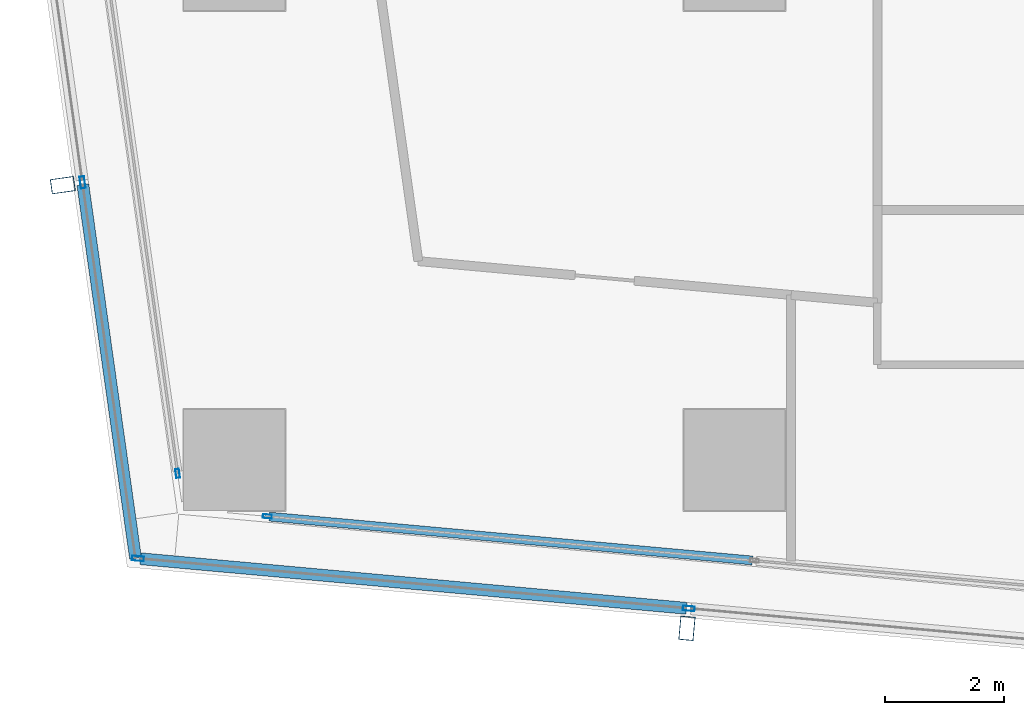
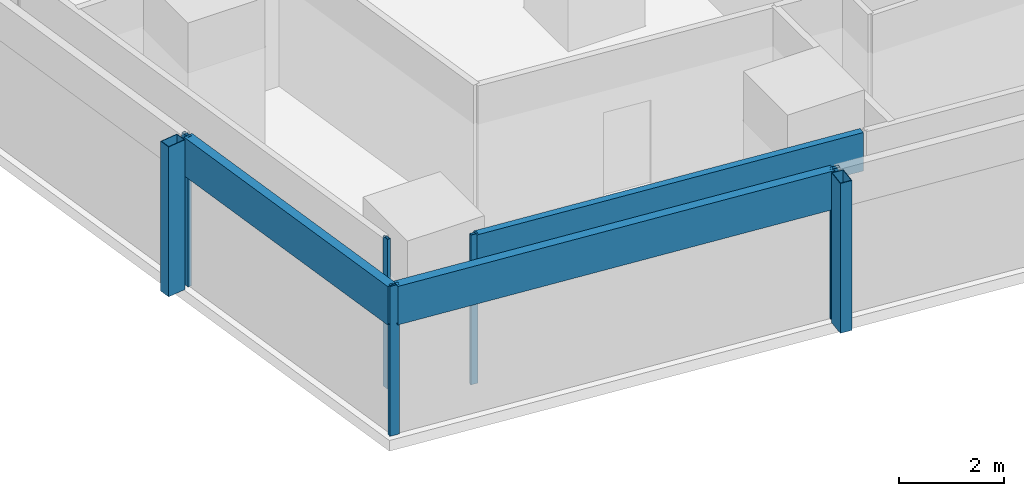
# One storey, part 2 of 40: 10 members, 4 elements without a shape of their own.
"""IFC4 building model written with IfcOpenShell, lengths in metres."""

import ifcopenshell
import ifcopenshell.guid

model = None  # the IFC model being written
_history = None  # IfcOwnerHistory: only IFC2X3 demands one
_inside = {}  # id of a spatial element -> (the spatial element, [elements in it])
_under = {}  # id of a project, library or spatial element -> (it, [spatial elements below it])
_declared = {}  # id of a project -> (the project, [libraries it declares])
_typed = {}  # id of a type object -> (the type object, [elements of that type])
_made_of = {}  # id of a material, layer set ... -> (it, [elements and type objects made of it])


def new_model(schema):
    """Start an empty IFC model of exactly this schema.

    Asked for "IFC4X3", IfcOpenShell would pick the latest addendum, in which some entities
    have other attributes; the version numbers below select the first issue.
    IFC2X3 requires an IfcOwnerHistory on every rooted entity: one is made here for all.
    """
    global model, _history
    if schema == "IFC4X3":
        model = ifcopenshell.file(schema_version=(4, 3, 0, 0))
    else:
        model = ifcopenshell.file(schema=schema)
    _inside.clear()
    _under.clear()
    _declared.clear()
    _typed.clear()
    _made_of.clear()
    _history = None
    if model.schema == "IFC2X3":
        org = make("IfcOrganization", Name="unknown")
        user = make(
            "IfcPersonAndOrganization",
            ThePerson=make("IfcPerson", FamilyName="unknown"),
            TheOrganization=org,
        )
        app = make(
            "IfcApplication",
            ApplicationDeveloper=org,
            Version="unknown",
            ApplicationFullName="unknown",
            ApplicationIdentifier="unknown",
        )
        _history = make(
            "IfcOwnerHistory",
            OwningUser=user,
            OwningApplication=app,
            ChangeAction="ADDED",
            CreationDate=0,
        )
    return model


def make(cls, **values):
    """One entity of the class cls with the attributes given. An attribute that is None is left unset."""
    return model.create_entity(
        cls, **{name: value for name, value in values.items() if value is not None}
    )


def rooted(cls, **values):
    """An entity with a GlobalId (a new one), such as an element, a storey or a relation."""
    return make(cls, GlobalId=ifcopenshell.guid.new(), OwnerHistory=_history, **values)


def si_unit(unit_type, name, prefix=None):
    """IfcSIUnit, for example si_unit("LENGTHUNIT", "METRE", prefix="MILLI")."""
    return make("IfcSIUnit", UnitType=unit_type, Prefix=prefix, Name=name)


def assignment(units):
    """IfcUnitAssignment: the units of a project."""
    return None if units is None else make("IfcUnitAssignment", Units=units)


def point(xyz):
    """IfcCartesianPoint."""
    return None if xyz is None else make("IfcCartesianPoint", Coordinates=xyz)


def direction(xyz):
    """IfcDirection."""
    return None if xyz is None else make("IfcDirection", DirectionRatios=xyz)


def frame(location, z_axis=None, x_axis=None):
    """IfcAxis2Placement3D, a coordinate frame: its origin and axes. An axis left out is left unset."""
    return make(
        "IfcAxis2Placement3D",
        Location=point(location),
        Axis=direction(z_axis),
        RefDirection=direction(x_axis),
    )


def frame_2d(location, x_axis=None):
    """IfcAxis2Placement2D, a coordinate frame in the plane: its origin and x axis."""
    return make(
        "IfcAxis2Placement2D", Location=point(location), RefDirection=direction(x_axis)
    )


def origin():
    """The frame at (0, 0, 0) with its axes left unset."""
    return frame((0.0, 0.0, 0.0))


def origin_2d():
    """The frame at (0, 0) in the plane with its x axis left unset."""
    return frame_2d((0.0, 0.0))


def place(relative_to, where):
    """IfcLocalPlacement: puts the frame where relative to a parent placement (None: the world)."""
    return make(
        "IfcLocalPlacement", PlacementRelTo=relative_to, RelativePlacement=where
    )


def context(
    kind, dimensions, precision=None, world=None, true_north=None, identifier=None
):
    """IfcGeometricRepresentationContext, for example the 3D "Model" context."""
    return make(
        "IfcGeometricRepresentationContext",
        ContextIdentifier=identifier,
        ContextType=kind,
        CoordinateSpaceDimension=dimensions,
        Precision=precision,
        WorldCoordinateSystem=world,
        TrueNorth=true_north,
    )


def subcontext(parent, identifier, kind, view, scale=None):
    """IfcGeometricRepresentationSubContext, for example "Body" below "Model"."""
    return make(
        "IfcGeometricRepresentationSubContext",
        ContextIdentifier=identifier,
        ContextType=kind,
        ParentContext=parent,
        TargetScale=scale,
        TargetView=view,
    )


def project(units=None, contexts=None):
    """IfcProject with its units and contexts."""
    return rooted(
        "IfcProject",
        Name="project",
        RepresentationContexts=contexts,
        UnitsInContext=assignment(units),
    )


def spatial(cls, under=None, at=None, **own):
    """A site, building, storey or space (cls), placed at a placement, below another one or the project."""
    s = rooted(cls, ObjectPlacement=at, **own)
    if under is not None:
        _under.setdefault(under.id(), (under, []))[1].append(s)
    return s


def profile(cls, at=None, kind="AREA", **sizes):
    """A parametric profile (cls). Its sizes go by their IFC names, for example OverallWidth=200.0."""
    return make(cls, ProfileType=kind, Position=at, **sizes)


def hollow_rectangle(**sizes):
    """IfcRectangleHollowProfileDef."""
    return profile("IfcRectangleHollowProfileDef", **sizes)


def extrude(swept, where, along, depth):
    """IfcExtrudedAreaSolid: the profile swept, set in the frame where, extruded along a direction by depth."""
    return make(
        "IfcExtrudedAreaSolid",
        SweptArea=swept,
        Position=where,
        ExtrudedDirection=direction(along),
        Depth=depth,
    )


def shape(context_of_items, identifier, shape_type, items):
    """IfcShapeRepresentation: the items that make up one representation, for example the "Body"."""
    return make(
        "IfcShapeRepresentation",
        ContextOfItems=context_of_items,
        RepresentationIdentifier=identifier,
        RepresentationType=shape_type,
        Items=items,
    )


def material(Name=None, Category=None):
    """IfcMaterial."""
    return make("IfcMaterial", Name=Name, Category=Category)


def material_profile(
    of_material, cross_section, Name=None, Category=None, Priority=None
):
    """IfcMaterialProfile: a cross section and its material."""
    return make(
        "IfcMaterialProfile",
        Name=Name,
        Material=of_material,
        Profile=cross_section,
        Priority=Priority,
        Category=Category,
    )


def profile_set(profiles, Name=None, composite=None):
    """IfcMaterialProfileSet."""
    return make(
        "IfcMaterialProfileSet",
        Name=Name,
        MaterialProfiles=profiles,
        CompositeProfile=composite,
    )


def made_of(thing, what):
    """Note that an element or type object is made of a material, layer set ...; save() writes the relation."""
    if what is not None:
        _made_of.setdefault(what.id(), (what, []))[1].append(thing)
    return thing


def type_object(cls, material=None, **own):
    """A type object (cls), such as IfcWallType, which elements share."""
    return made_of(rooted(cls, **own), material)


def element(
    cls,
    number,
    at=None,
    inside=None,
    cuts=None,
    type_object=None,
    material=None,
    context=None,
    identifier="Body",
    shape_type=None,
    held_by="IfcProductDefinitionShape",
    body=None,
    shapes=None,
    **own,
):
    """One element of the class cls, such as IfcWall. Its Tag is "e" and its number.

    at: its placement. inside: the storey or other place that contains it. cuts: it is an
    opening in that element (IfcRelVoidsElement). A single representation is given by context,
    identifier, shape_type and body (its items); several are given by shapes. held_by: the class
    of the entity that holds the representations. save() writes the other relations.
    """
    e = rooted(cls, Tag="e%d" % number, ObjectPlacement=at, **own)
    if body is not None:
        shapes = [shape(context, identifier, shape_type, body)]
    if shapes is not None:
        e.Representation = make(held_by, Representations=shapes)
    if inside is not None:
        _inside.setdefault(inside.id(), (inside, []))[1].append(e)
    if cuts is not None:
        rooted(
            "IfcRelVoidsElement", RelatingBuildingElement=cuts, RelatedOpeningElement=e
        )
    if type_object is not None:
        _typed.setdefault(type_object.id(), (type_object, []))[1].append(e)
    return made_of(e, material)


def aggregate(whole, parts):
    """IfcRelAggregates: a whole, such as a stair, and the parts it consists of."""
    return rooted("IfcRelAggregates", RelatingObject=whole, RelatedObjects=parts)


def save(model, path):
    """Write the relations noted so far, then the file.

    IfcRelAggregates (storeys below a building ...), IfcRelContainedInSpatialStructure (elements
    in a storey), IfcRelDefinesByType, IfcRelAssociatesMaterial and IfcRelDeclares: one each for
    every whole, place, type object, material and project.
    """
    for whole, parts in _under.values():
        aggregate(whole, parts)
    for where, things in _inside.values():
        rooted(
            "IfcRelContainedInSpatialStructure",
            RelatedElements=things,
            RelatingStructure=where,
        )
    for kind, things in _typed.values():
        rooted("IfcRelDefinesByType", RelatedObjects=things, RelatingType=kind)
    for what, things in _made_of.values():
        rooted("IfcRelAssociatesMaterial", RelatedObjects=things, RelatingMaterial=what)
    for by, libraries in _declared.values():
        rooted("IfcRelDeclares", RelatingContext=by, RelatedDefinitions=libraries)
    model.write(path)


model = new_model("IFC4")

# Units and contexts
model_context = context("Model", 3, precision=1e-05, world=origin(), true_north=direction((0.0, 1.0)))
body_context = subcontext(model_context, "Body", "Model", "MODEL_VIEW")
ifc_project = project(units=[si_unit("LENGTHUNIT", "METRE"), si_unit("AREAUNIT", "SQUARE_METRE"), si_unit("VOLUMEUNIT", "CUBIC_METRE"), si_unit("PLANEANGLEUNIT", "RADIAN"), si_unit("MASSUNIT", "GRAM", prefix="KILO")], contexts=[model_context])

# Site, building, storey
site_placement = place(None, origin())
site = spatial("IfcSite", under=ifc_project, at=site_placement, CompositionType="ELEMENT")
building_placement = place(site_placement, origin())
building = spatial("IfcBuilding", under=site, at=building_placement, Name="Rekha Terrace Tower", CompositionType="ELEMENT")
storey_placement = place(building_placement, frame((0.0, 0.0, 110.300048828125)))
storey = spatial("IfcBuildingStorey", under=building, at=storey_placement, Name="L27", CompositionType="ELEMENT", Elevation=110.300048828125)

# Curtain wall, member
ifc_material_1 = material(Name="Aluminium framing", Category="aluminium")
curtain_wall_type_1 = type_object("IfcCurtainWallType", Name="CW2 double skin outer glazing", PredefinedType="USERDEFINED", material=ifc_material_1)
curtain_wall_1_placement = place(storey_placement, origin())
curtain_wall_1 = element("IfcCurtainWall", 1, at=curtain_wall_1_placement, inside=storey, type_object=curtain_wall_type_1, Name="CW2 double skin outer glazing", ObjectType="DOUBLE SKIN OUTER GLAZING", PredefinedType="USERDEFINED")
ifc_material_2 = material(Name="Steel S355 with fluorocarbon finish", Category="steel")
ifc_material_profile_1 = material_profile(ifc_material_2, hollow_rectangle(XDim=0.25, YDim=0.39990234375, WallThickness=0.012451171875, at=origin_2d()), Name="RHS400x250x12.5")
ifc_profile_set_1 = profile_set([ifc_material_profile_1], Name="Steel S355 with fluorocarbon finish")
member_type_1 = type_object("IfcMemberType", Name="BL1 facade blade RHS 400 x 250", PredefinedType="USERDEFINED", material=ifc_profile_set_1)
member_1_placement = place(storey_placement, frame((16.002197265625, 13.970458984375, 0.0), z_axis=(0.0, 0.0, 1.0), x_axis=(0.995901938317, -0.090439644273, 0.0)))
member_1 = element("IfcMember", 2, at=member_1_placement, type_object=member_type_1, Name="Facade blade", ObjectType="FACADE BLADE", PredefinedType="USERDEFINED", context=body_context, shape_type="SweptSolid", body=[
    extrude(hollow_rectangle(XDim=0.25, YDim=0.39990234375, WallThickness=0.012451171875, at=origin_2d()), origin(), (0.0, 0.0, 1.0), 3.5),
])

curtain_wall_2_placement = place(storey_placement, origin())
curtain_wall_2 = element("IfcCurtainWall", 3, at=curtain_wall_2_placement, inside=storey, type_object=curtain_wall_type_1, Name="CW2 double skin outer glazing", ObjectType="DOUBLE SKIN OUTER GLAZING", PredefinedType="USERDEFINED")
member_2_placement = place(storey_placement, frame((5.51904296875, 21.41455078125, 0.0), z_axis=(0.0, 0.0, 1.0), x_axis=(0.139596532461, -0.990208467003, 0.0)))
member_2 = element("IfcMember", 4, at=member_2_placement, type_object=member_type_1, Name="Facade blade", ObjectType="FACADE BLADE", PredefinedType="USERDEFINED", context=body_context, shape_type="SweptSolid", body=[
    extrude(hollow_rectangle(XDim=0.25, YDim=0.39990234375, WallThickness=0.012451171875, at=origin_2d()), origin(), (0.0, 0.0, 1.0), 3.5),
])

curtain_wall_type_2 = type_object("IfcCurtainWallType", Name="CW1 double skin inner glazing", PredefinedType="USERDEFINED", material=ifc_material_1)
curtain_wall_3_placement = place(storey_placement, origin())
curtain_wall_3 = element("IfcCurtainWall", 5, at=curtain_wall_3_placement, inside=storey, type_object=curtain_wall_type_2, Name="CW1 double skin inner glazing", ObjectType="DOUBLE SKIN INNER GLAZING", PredefinedType="USERDEFINED")
ifc_material_3 = material(Name="Aluminium mullion section", Category="aluminium")
ifc_material_profile_2 = material_profile(ifc_material_3, hollow_rectangle(XDim=0.06494140625, YDim=0.14990234375, WallThickness=0.00390625, at=origin_2d()), Name="AL RHS 65x150")
ifc_profile_set_2 = profile_set([ifc_material_profile_2], Name="Aluminium mullion section")
member_type_2 = type_object("IfcMemberType", Name="CW1 mullion RHS 65 x 150", PredefinedType="MULLION", material=ifc_profile_set_2)
member_3_placement = place(storey_placement, frame((8.953369140625, 15.8505859375, 0.0), z_axis=(0.0, 0.0, 1.0), x_axis=(0.090439811381, 0.995901923142, 0.0)))
member_3 = element("IfcMember", 6, at=member_3_placement, type_object=member_type_2, Name="CW1 mullion 1", PredefinedType="MULLION", context=body_context, shape_type="SweptSolid", body=[
    extrude(hollow_rectangle(XDim=0.06494140625, YDim=0.14990234375, WallThickness=0.00390625, at=origin_2d()), origin(), (0.0, 0.0, 1.0), 3.5),
])

curtain_wall_4_placement = place(storey_placement, origin())
curtain_wall_4 = element("IfcCurtainWall", 7, at=curtain_wall_4_placement, inside=storey, type_object=curtain_wall_type_2, Name="CW1 double skin inner glazing", ObjectType="DOUBLE SKIN INNER GLAZING", PredefinedType="USERDEFINED")
member_4_placement = place(storey_placement, frame((7.448486328125, 16.573974609375, 0.0), z_axis=(0.0, 0.0, 1.0), x_axis=(0.990208394312, 0.139597048082, 0.0)))
member_4 = element("IfcMember", 8, at=member_4_placement, type_object=member_type_2, Name="CW1 mullion 2", PredefinedType="MULLION", context=body_context, shape_type="SweptSolid", body=[
    extrude(hollow_rectangle(XDim=0.06494140625, YDim=0.14990234375, WallThickness=0.00390625, at=origin_2d()), origin(), (0.0, 0.0, 1.0), 3.5),
])
aggregate(curtain_wall_4, [member_4])

# Member
ifc_material_4 = material(Name="Insulated aluminium spandrel box", Category="aluminium")
ifc_material_profile_3 = material_profile(ifc_material_4, hollow_rectangle(XDim=0.14990234375, YDim=0.89990234375, WallThickness=0.0029296875, at=origin_2d()), Name="AL SPANDREL BOX 150x900")
ifc_profile_set_3 = profile_set([ifc_material_profile_3], Name="Insulated aluminium spandrel box")
member_type_3 = type_object("IfcMemberType", Name="CW1 spandrel transom 150 x 900", PredefinedType="USERDEFINED", material=ifc_profile_set_3)
member_5_placement = place(storey_placement, frame((8.98583984375, 15.84765625, 3.050048828125), z_axis=(0.995901551249, -0.090443906483, 0.0), x_axis=(0.090443906483, 0.995901551249, 0.0)))
member_5 = element("IfcMember", 9, at=member_5_placement, type_object=member_type_3, Name="CW1 spandrel transom 1", ObjectType="TRANSOM", PredefinedType="USERDEFINED", context=body_context, shape_type="SweptSolid", body=[
    extrude(hollow_rectangle(XDim=0.14990234375, YDim=0.89990234375, WallThickness=0.0029296875, at=origin_2d()), origin(), (0.0, 0.0, 1.0), 8.1494140625),
])

aggregate(curtain_wall_3, [member_3, member_5])

ifc_material_profile_4 = material_profile(ifc_material_3, hollow_rectangle(XDim=0.080078125, YDim=0.199951171875, WallThickness=0.00390625, at=origin_2d()), Name="AL RHS 80x200")
ifc_profile_set_4 = profile_set([ifc_material_profile_4], Name="Aluminium mullion section")
member_type_4 = type_object("IfcMemberType", Name="CW2 mullion RHS 80 x 200", PredefinedType="MULLION", material=ifc_profile_set_4)
member_6_placement = place(storey_placement, frame((6.780517578125, 15.144287109375, 0.0), z_axis=(0.0, 0.0, 1.0), x_axis=(0.090439811433, 0.995901923137, 0.0)))
member_6 = element("IfcMember", 10, at=member_6_placement, type_object=member_type_4, Name="CW2 mullion 1", PredefinedType="MULLION", context=body_context, shape_type="SweptSolid", body=[
    extrude(hollow_rectangle(XDim=0.080078125, YDim=0.199951171875, WallThickness=0.00390625, at=origin_2d()), origin(), (0.0, 0.0, 1.0), 3.5),
])

member_7_placement = place(storey_placement, frame((16.032470703125, 14.30419921875, 0.0), z_axis=(0.0, 0.0, 1.0), x_axis=(0.090439811433, 0.995901923137, 0.0)))
member_7 = element("IfcMember", 11, at=member_7_placement, type_object=member_type_4, Name="CW2 mullion 2", PredefinedType="MULLION", context=body_context, shape_type="SweptSolid", body=[
    extrude(hollow_rectangle(XDim=0.080078125, YDim=0.199951171875, WallThickness=0.00390625, at=origin_2d()), origin(), (0.0, 0.0, 1.0), 3.5),
])

member_8_placement = place(storey_placement, frame((5.8505859375, 21.46142578125, 0.0), z_axis=(0.0, 0.0, 1.0), x_axis=(0.990208394312, 0.139597048082, 0.0)))
member_8 = element("IfcMember", 12, at=member_8_placement, type_object=member_type_4, Name="CW2 mullion 2", PredefinedType="MULLION", context=body_context, shape_type="SweptSolid", body=[
    extrude(hollow_rectangle(XDim=0.080078125, YDim=0.199951171875, WallThickness=0.00390625, at=origin_2d()), origin(), (0.0, 0.0, 1.0), 3.5),
])

ifc_material_profile_5 = material_profile(ifc_material_4, hollow_rectangle(XDim=0.199951171875, YDim=0.89990234375, WallThickness=0.0029296875, at=origin_2d()), Name="AL SPANDREL BOX 200x900")
ifc_profile_set_5 = profile_set([ifc_material_profile_5], Name="Insulated aluminium spandrel box")
member_type_5 = type_object("IfcMemberType", Name="CW2 spandrel transom 200 x 900", PredefinedType="USERDEFINED", material=ifc_profile_set_5)
member_9_placement = place(storey_placement, frame((6.8203125, 15.140625, 3.050048828125), z_axis=(0.995901458883, -0.090444923548, 0.0), x_axis=(0.090444923548, 0.995901458883, 0.0)))
member_9 = element("IfcMember", 13, at=member_9_placement, type_object=member_type_5, Name="CW2 spandrel transom 1", ObjectType="TRANSOM", PredefinedType="USERDEFINED", context=body_context, shape_type="SweptSolid", body=[
    extrude(hollow_rectangle(XDim=0.199951171875, YDim=0.89990234375, WallThickness=0.0029296875, at=origin_2d()), origin(), (0.0, 0.0, 1.0), 9.210205078125),
])

aggregate(curtain_wall_1, [member_6, member_7, member_9, member_1])

member_10_placement = place(storey_placement, frame((5.856201171875, 21.421875, 3.050048828125), z_axis=(0.139603155616, -0.990207533269, 0.0), x_axis=(0.990207533269, 0.139603155616, 0.0)))
member_10 = element("IfcMember", 14, at=member_10_placement, type_object=member_type_5, Name="CW2 spandrel transom 2", ObjectType="TRANSOM", PredefinedType="USERDEFINED", context=body_context, shape_type="SweptSolid", body=[
    extrude(hollow_rectangle(XDim=0.199951171875, YDim=0.89990234375, WallThickness=0.0029296875, at=origin_2d()), origin(), (0.0, 0.0, 1.0), 6.3359375),
])

aggregate(curtain_wall_2, [member_8, member_10, member_2])

save(model, "model.ifc")
